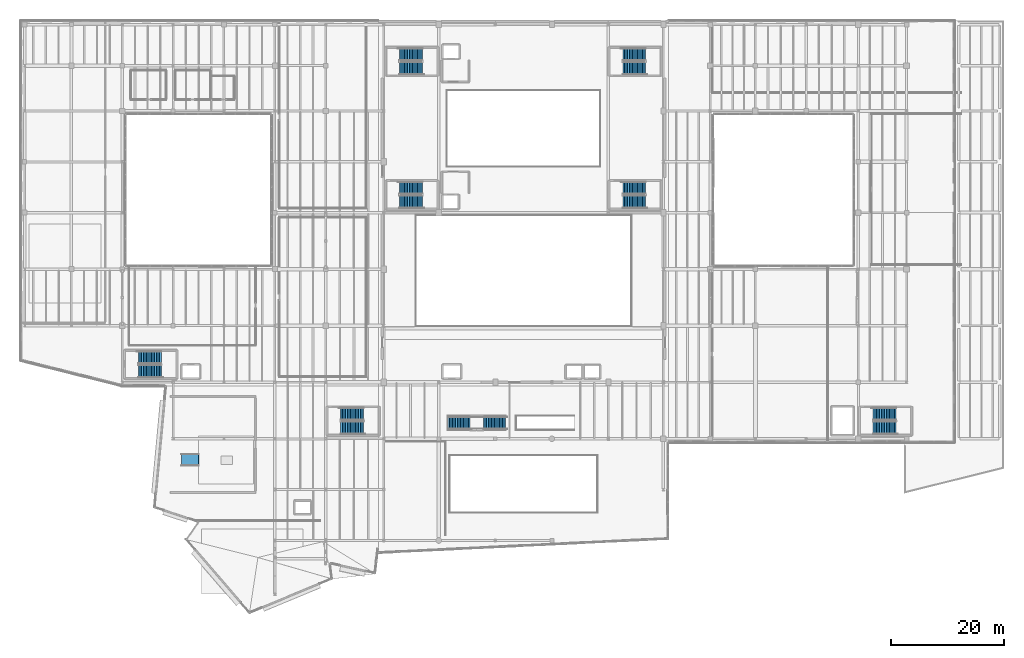
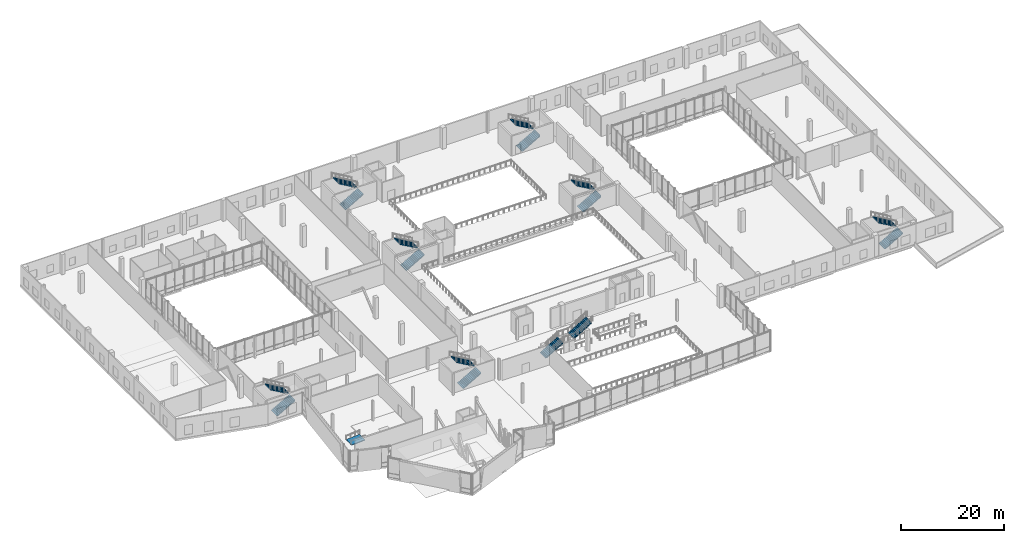
# One storey, part 61 of 73: 16 stair flights, 1 ramp flight, 9 elements without a shape of their own.
"""IFC4 building model written with IfcOpenShell, lengths in metres."""

from ifc_helpers import new_model, si_unit, direction, frame, origin, place, context, subcontext, project, spatial, polyline, outline, extrude, material, layer, layer_set, type_object, element, aggregate, save


model = new_model("IFC4")

# Units and contexts
model_context = context("Model", 3, precision=1e-05, world=origin(), true_north=direction((0.0, 1.0)))
body_context = subcontext(model_context, "Body", "Model", "MODEL_VIEW")
ifc_project = project(units=[si_unit("LENGTHUNIT", "METRE"), si_unit("AREAUNIT", "SQUARE_METRE"), si_unit("VOLUMEUNIT", "CUBIC_METRE"), si_unit("PLANEANGLEUNIT", "RADIAN"), si_unit("MASSUNIT", "GRAM", prefix="KILO")], contexts=[model_context])

# Site, building, storey
site_placement = place(None, origin())
site = spatial("IfcSite", under=ifc_project, at=site_placement, CompositionType="ELEMENT")
building_placement = place(site_placement, origin())
building = spatial("IfcBuilding", under=site, at=building_placement, Name="Trimount Lyric Opera House", CompositionType="ELEMENT")
storey_placement = place(building_placement, frame((0.0, 0.0, 10.0)))
storey = spatial("IfcBuildingStorey", under=building, at=storey_placement, Name="L02", CompositionType="ELEMENT", Elevation=10.0)

# Stair, stair flights
ifc_material_1 = material(Name="Concrete C40/50", Category="concrete")
stair_type_1 = type_object("IfcStairType", Name="STR-CORE-A", PredefinedType="TWO_QUARTER_TURN_STAIR", material=ifc_material_1)
stair_1_placement = place(storey_placement, origin())
stair_1 = element("IfcStair", 1, at=stair_1_placement, inside=storey, type_object=stair_type_1, Name="L02 Exit Stair ST-01", PredefinedType="TWO_QUARTER_TURN_STAIR")
ifc_material_2 = material(Name="Concrete C40/50", Category="concrete")
stair_flight_type_1 = type_object("IfcStairFlightType", Name="SFL-CORE-A", PredefinedType="STRAIGHT", material=ifc_material_2)
stair_flight_1_placement = place(storey_placement, frame((67.050048828125, 109.52490234375, 0.0), z_axis=(0.0, 0.0, 1.0), x_axis=(1.0, 0.0, 0.0)))
stair_flight_1 = element("IfcStairFlight", 2, at=stair_flight_1_placement, type_object=stair_flight_type_1, Name="ST-01 flight 1", NumberOfRisers=15, NumberOfTreads=14, PredefinedType="STRAIGHT", RiserHeight=0.166666667, TreadLength=0.29, context=body_context, shape_type="SweptSolid", body=[
    extrude(outline(polyline([(0.0, 0.0), (0.0, 0.166748046875), (0.2900390625, 0.166748046875), (0.2900390625, 0.333251953125), (0.580078125, 0.333251953125), (0.580078125, 0.5), (0.8701171875, 0.5), (0.8701171875, 0.666748046875), (1.159912109375, 0.666748046875), (1.159912109375, 0.833251953125), (1.449951171875, 0.833251953125), (1.449951171875, 1.0), (1.739990234375, 1.0), (1.739990234375, 1.166748046875), (2.030029296875, 1.166748046875), (2.030029296875, 1.333251953125), (2.320068359375, 1.333251953125), (2.320068359375, 1.5), (2.610107421875, 1.5), (2.610107421875, 1.666748046875), (2.89990234375, 1.666748046875), (2.89990234375, 1.833251953125), (3.18994140625, 1.833251953125), (3.18994140625, 2.0), (3.47998046875, 2.0), (3.47998046875, 2.166748046875), (3.77001953125, 2.166748046875), (3.77001953125, 2.333251953125), (4.0439453125, 2.333251953125), (4.06005859375, 2.5), (4.06005859375, 2.160400390625), (0.30078125, 0.0), (0.0, 0.0)])), frame((0.0, 1.125, 0.0), z_axis=(0.0, -1.0, 0.0), x_axis=(1.0, 0.0, 0.0)), (0.0, 0.0, 1.0), 2.25),
])
stair_flight_2_placement = place(storey_placement, frame((71.110107421875, 111.97509765625, 2.5), z_axis=(0.0, 0.0, 1.0), x_axis=(-1.0, 0.0, 0.0)))
stair_flight_2 = element("IfcStairFlight", 3, at=stair_flight_2_placement, type_object=stair_flight_type_1, Name="ST-01 flight 2", NumberOfRisers=15, NumberOfTreads=14, PredefinedType="STRAIGHT", RiserHeight=0.166666667, TreadLength=0.29, context=body_context, shape_type="SweptSolid", body=[
    extrude(outline(polyline([(0.0, 0.0), (0.0, 0.166748046875), (0.2900390625, 0.166748046875), (0.2900390625, 0.333251953125), (0.580078125, 0.333251953125), (0.580078125, 0.5), (0.8701171875, 0.5), (0.8701171875, 0.666748046875), (1.159912109375, 0.666748046875), (1.159912109375, 0.833251953125), (1.449951171875, 0.833251953125), (1.449951171875, 1.0), (1.739990234375, 1.0), (1.739990234375, 1.166748046875), (2.030029296875, 1.166748046875), (2.030029296875, 1.333251953125), (2.320068359375, 1.333251953125), (2.320068359375, 1.5), (2.610107421875, 1.5), (2.610107421875, 1.666748046875), (2.89990234375, 1.666748046875), (2.89990234375, 1.833251953125), (3.18994140625, 1.833251953125), (3.18994140625, 2.0), (3.47998046875, 2.0), (3.47998046875, 2.166748046875), (3.77001953125, 2.166748046875), (3.77001953125, 2.333251953125), (4.0439453125, 2.333251953125), (4.06005859375, 2.5), (4.06005859375, 2.160400390625), (0.30078125, 0.0), (0.0, 0.0)])), frame((0.0, 1.125, 0.0), z_axis=(0.0, -1.0, 0.0), x_axis=(1.0, 0.0, 0.0)), (0.0, 0.0, 1.0), 2.25),
])
aggregate(stair_1, [stair_flight_1, stair_flight_2])

stair_2_placement = place(storey_placement, origin())
stair_2 = element("IfcStair", 4, at=stair_2_placement, inside=storey, type_object=stair_type_1, Name="L02 Exit Stair ST-02", PredefinedType="TWO_QUARTER_TURN_STAIR")
stair_flight_3_placement = place(storey_placement, frame((106.550048828125, 109.52490234375, 0.0), z_axis=(0.0, 0.0, 1.0), x_axis=(1.0, 0.0, 0.0)))
stair_flight_3 = element("IfcStairFlight", 5, at=stair_flight_3_placement, type_object=stair_flight_type_1, Name="ST-02 flight 1", NumberOfRisers=15, NumberOfTreads=14, PredefinedType="STRAIGHT", RiserHeight=0.166666667, TreadLength=0.29, context=body_context, shape_type="SweptSolid", body=[
    extrude(outline(polyline([(0.0, 0.0), (0.0, 0.166748046875), (0.2900390625, 0.166748046875), (0.2900390625, 0.333251953125), (0.580078125, 0.333251953125), (0.580078125, 0.5), (0.8701171875, 0.5), (0.8701171875, 0.666748046875), (1.159912109375, 0.666748046875), (1.159912109375, 0.833251953125), (1.449951171875, 0.833251953125), (1.449951171875, 1.0), (1.739990234375, 1.0), (1.739990234375, 1.166748046875), (2.030029296875, 1.166748046875), (2.030029296875, 1.333251953125), (2.320068359375, 1.333251953125), (2.320068359375, 1.5), (2.610107421875, 1.5), (2.610107421875, 1.666748046875), (2.89990234375, 1.666748046875), (2.89990234375, 1.833251953125), (3.18994140625, 1.833251953125), (3.18994140625, 2.0), (3.47998046875, 2.0), (3.47998046875, 2.166748046875), (3.77001953125, 2.166748046875), (3.77001953125, 2.333251953125), (4.0439453125, 2.333251953125), (4.06005859375, 2.5), (4.06005859375, 2.160400390625), (0.30078125, 0.0), (0.0, 0.0)])), frame((0.0, 1.125, 0.0), z_axis=(0.0, -1.0, 0.0), x_axis=(1.0, 0.0, 0.0)), (0.0, 0.0, 1.0), 2.25),
])
stair_flight_4_placement = place(storey_placement, frame((110.610107421875, 111.97509765625, 2.5), z_axis=(0.0, 0.0, 1.0), x_axis=(-1.0, 0.0, 0.0)))
stair_flight_4 = element("IfcStairFlight", 6, at=stair_flight_4_placement, type_object=stair_flight_type_1, Name="ST-02 flight 2", NumberOfRisers=15, NumberOfTreads=14, PredefinedType="STRAIGHT", RiserHeight=0.166666667, TreadLength=0.29, context=body_context, shape_type="SweptSolid", body=[
    extrude(outline(polyline([(0.0, 0.0), (0.0, 0.166748046875), (0.2900390625, 0.166748046875), (0.2900390625, 0.333251953125), (0.580078125, 0.333251953125), (0.580078125, 0.5), (0.8701171875, 0.5), (0.8701171875, 0.666748046875), (1.159912109375, 0.666748046875), (1.159912109375, 0.833251953125), (1.449951171875, 0.833251953125), (1.449951171875, 1.0), (1.739990234375, 1.0), (1.739990234375, 1.166748046875), (2.030029296875, 1.166748046875), (2.030029296875, 1.333251953125), (2.320068359375, 1.333251953125), (2.320068359375, 1.5), (2.610107421875, 1.5), (2.610107421875, 1.666748046875), (2.89990234375, 1.666748046875), (2.89990234375, 1.833251953125), (3.18994140625, 1.833251953125), (3.18994140625, 2.0), (3.47998046875, 2.0), (3.47998046875, 2.166748046875), (3.77001953125, 2.166748046875), (3.77001953125, 2.333251953125), (4.0439453125, 2.333251953125), (4.06005859375, 2.5), (4.06005859375, 2.160400390625), (0.30078125, 0.0), (0.0, 0.0)])), frame((0.0, 1.125, 0.0), z_axis=(0.0, -1.0, 0.0), x_axis=(1.0, 0.0, 0.0)), (0.0, 0.0, 1.0), 2.25),
])
aggregate(stair_2, [stair_flight_3, stair_flight_4])

stair_3_placement = place(storey_placement, origin())
stair_3 = element("IfcStair", 7, at=stair_3_placement, inside=storey, type_object=stair_type_1, Name="L02 Exit Stair ST-03", PredefinedType="TWO_QUARTER_TURN_STAIR")
stair_flight_5_placement = place(storey_placement, frame((67.050048828125, 85.925048828125, 0.0), z_axis=(0.0, 0.0, 1.0), x_axis=(1.0, 0.0, 0.0)))
stair_flight_5 = element("IfcStairFlight", 8, at=stair_flight_5_placement, type_object=stair_flight_type_1, Name="ST-03 flight 1", NumberOfRisers=15, NumberOfTreads=14, PredefinedType="STRAIGHT", RiserHeight=0.166666667, TreadLength=0.29, context=body_context, shape_type="SweptSolid", body=[
    extrude(outline(polyline([(0.0, 0.0), (0.0, 0.166748046875), (0.2900390625, 0.166748046875), (0.2900390625, 0.333251953125), (0.580078125, 0.333251953125), (0.580078125, 0.5), (0.8701171875, 0.5), (0.8701171875, 0.666748046875), (1.159912109375, 0.666748046875), (1.159912109375, 0.833251953125), (1.449951171875, 0.833251953125), (1.449951171875, 1.0), (1.739990234375, 1.0), (1.739990234375, 1.166748046875), (2.030029296875, 1.166748046875), (2.030029296875, 1.333251953125), (2.320068359375, 1.333251953125), (2.320068359375, 1.5), (2.610107421875, 1.5), (2.610107421875, 1.666748046875), (2.89990234375, 1.666748046875), (2.89990234375, 1.833251953125), (3.18994140625, 1.833251953125), (3.18994140625, 2.0), (3.47998046875, 2.0), (3.47998046875, 2.166748046875), (3.77001953125, 2.166748046875), (3.77001953125, 2.333251953125), (4.0439453125, 2.333251953125), (4.06005859375, 2.5), (4.06005859375, 2.160400390625), (0.30078125, 0.0), (0.0, 0.0)])), frame((0.0, 1.125, 0.0), z_axis=(0.0, -1.0, 0.0), x_axis=(1.0, 0.0, 0.0)), (0.0, 0.0, 1.0), 2.25),
])
stair_flight_6_placement = place(storey_placement, frame((71.110107421875, 88.375, 2.5), z_axis=(0.0, 0.0, 1.0), x_axis=(-1.0, 0.0, 0.0)))
stair_flight_6 = element("IfcStairFlight", 9, at=stair_flight_6_placement, type_object=stair_flight_type_1, Name="ST-03 flight 2", NumberOfRisers=15, NumberOfTreads=14, PredefinedType="STRAIGHT", RiserHeight=0.166666667, TreadLength=0.29, context=body_context, shape_type="SweptSolid", body=[
    extrude(outline(polyline([(0.0, 0.0), (0.0, 0.166748046875), (0.2900390625, 0.166748046875), (0.2900390625, 0.333251953125), (0.580078125, 0.333251953125), (0.580078125, 0.5), (0.8701171875, 0.5), (0.8701171875, 0.666748046875), (1.159912109375, 0.666748046875), (1.159912109375, 0.833251953125), (1.449951171875, 0.833251953125), (1.449951171875, 1.0), (1.739990234375, 1.0), (1.739990234375, 1.166748046875), (2.030029296875, 1.166748046875), (2.030029296875, 1.333251953125), (2.320068359375, 1.333251953125), (2.320068359375, 1.5), (2.610107421875, 1.5), (2.610107421875, 1.666748046875), (2.89990234375, 1.666748046875), (2.89990234375, 1.833251953125), (3.18994140625, 1.833251953125), (3.18994140625, 2.0), (3.47998046875, 2.0), (3.47998046875, 2.166748046875), (3.77001953125, 2.166748046875), (3.77001953125, 2.333251953125), (4.0439453125, 2.333251953125), (4.06005859375, 2.5), (4.06005859375, 2.160400390625), (0.30078125, 0.0), (0.0, 0.0)])), frame((0.0, 1.125, 0.0), z_axis=(0.0, -1.0, 0.0), x_axis=(1.0, 0.0, 0.0)), (0.0, 0.0, 1.0), 2.25),
])
aggregate(stair_3, [stair_flight_5, stair_flight_6])

stair_4_placement = place(storey_placement, origin())
stair_4 = element("IfcStair", 10, at=stair_4_placement, inside=storey, type_object=stair_type_1, Name="L02 Exit Stair ST-04", PredefinedType="TWO_QUARTER_TURN_STAIR")
stair_flight_7_placement = place(storey_placement, frame((106.550048828125, 85.925048828125, 0.0), z_axis=(0.0, 0.0, 1.0), x_axis=(1.0, 0.0, 0.0)))
stair_flight_7 = element("IfcStairFlight", 11, at=stair_flight_7_placement, type_object=stair_flight_type_1, Name="ST-04 flight 1", NumberOfRisers=15, NumberOfTreads=14, PredefinedType="STRAIGHT", RiserHeight=0.166666667, TreadLength=0.29, context=body_context, shape_type="SweptSolid", body=[
    extrude(outline(polyline([(0.0, 0.0), (0.0, 0.166748046875), (0.2900390625, 0.166748046875), (0.2900390625, 0.333251953125), (0.580078125, 0.333251953125), (0.580078125, 0.5), (0.8701171875, 0.5), (0.8701171875, 0.666748046875), (1.159912109375, 0.666748046875), (1.159912109375, 0.833251953125), (1.449951171875, 0.833251953125), (1.449951171875, 1.0), (1.739990234375, 1.0), (1.739990234375, 1.166748046875), (2.030029296875, 1.166748046875), (2.030029296875, 1.333251953125), (2.320068359375, 1.333251953125), (2.320068359375, 1.5), (2.610107421875, 1.5), (2.610107421875, 1.666748046875), (2.89990234375, 1.666748046875), (2.89990234375, 1.833251953125), (3.18994140625, 1.833251953125), (3.18994140625, 2.0), (3.47998046875, 2.0), (3.47998046875, 2.166748046875), (3.77001953125, 2.166748046875), (3.77001953125, 2.333251953125), (4.0439453125, 2.333251953125), (4.06005859375, 2.5), (4.06005859375, 2.160400390625), (0.30078125, 0.0), (0.0, 0.0)])), frame((0.0, 1.125, 0.0), z_axis=(0.0, -1.0, 0.0), x_axis=(1.0, 0.0, 0.0)), (0.0, 0.0, 1.0), 2.25),
])
stair_flight_8_placement = place(storey_placement, frame((110.610107421875, 88.375, 2.5), z_axis=(0.0, 0.0, 1.0), x_axis=(-1.0, 0.0, 0.0)))
stair_flight_8 = element("IfcStairFlight", 12, at=stair_flight_8_placement, type_object=stair_flight_type_1, Name="ST-04 flight 2", NumberOfRisers=15, NumberOfTreads=14, PredefinedType="STRAIGHT", RiserHeight=0.166666667, TreadLength=0.29, context=body_context, shape_type="SweptSolid", body=[
    extrude(outline(polyline([(0.0, 0.0), (0.0, 0.166748046875), (0.2900390625, 0.166748046875), (0.2900390625, 0.333251953125), (0.580078125, 0.333251953125), (0.580078125, 0.5), (0.8701171875, 0.5), (0.8701171875, 0.666748046875), (1.159912109375, 0.666748046875), (1.159912109375, 0.833251953125), (1.449951171875, 0.833251953125), (1.449951171875, 1.0), (1.739990234375, 1.0), (1.739990234375, 1.166748046875), (2.030029296875, 1.166748046875), (2.030029296875, 1.333251953125), (2.320068359375, 1.333251953125), (2.320068359375, 1.5), (2.610107421875, 1.5), (2.610107421875, 1.666748046875), (2.89990234375, 1.666748046875), (2.89990234375, 1.833251953125), (3.18994140625, 1.833251953125), (3.18994140625, 2.0), (3.47998046875, 2.0), (3.47998046875, 2.166748046875), (3.77001953125, 2.166748046875), (3.77001953125, 2.333251953125), (4.0439453125, 2.333251953125), (4.06005859375, 2.5), (4.06005859375, 2.160400390625), (0.30078125, 0.0), (0.0, 0.0)])), frame((0.0, 1.125, 0.0), z_axis=(0.0, -1.0, 0.0), x_axis=(1.0, 0.0, 0.0)), (0.0, 0.0, 1.0), 2.25),
])
aggregate(stair_4, [stair_flight_7, stair_flight_8])

stair_5_placement = place(storey_placement, origin())
stair_5 = element("IfcStair", 13, at=stair_5_placement, inside=storey, type_object=stair_type_1, Name="L02 Exit Stair ST-05", PredefinedType="TWO_QUARTER_TURN_STAIR")
stair_flight_9_placement = place(storey_placement, frame((150.85009765625, 45.925048828125, 0.0), z_axis=(0.0, 0.0, 1.0), x_axis=(1.0, 0.0, 0.0)))
stair_flight_9 = element("IfcStairFlight", 14, at=stair_flight_9_placement, type_object=stair_flight_type_1, Name="ST-05 flight 1", NumberOfRisers=15, NumberOfTreads=14, PredefinedType="STRAIGHT", RiserHeight=0.166666667, TreadLength=0.29, context=body_context, shape_type="SweptSolid", body=[
    extrude(outline(polyline([(0.0, 0.0), (0.0, 0.166748046875), (0.2900390625, 0.166748046875), (0.2900390625, 0.333251953125), (0.580078125, 0.333251953125), (0.580078125, 0.5), (0.8701171875, 0.5), (0.8701171875, 0.666748046875), (1.159912109375, 0.666748046875), (1.159912109375, 0.833251953125), (1.449951171875, 0.833251953125), (1.449951171875, 1.0), (1.739990234375, 1.0), (1.739990234375, 1.166748046875), (2.030029296875, 1.166748046875), (2.030029296875, 1.333251953125), (2.320068359375, 1.333251953125), (2.320068359375, 1.5), (2.610107421875, 1.5), (2.610107421875, 1.666748046875), (2.89990234375, 1.666748046875), (2.89990234375, 1.833251953125), (3.18994140625, 1.833251953125), (3.18994140625, 2.0), (3.47998046875, 2.0), (3.47998046875, 2.166748046875), (3.77001953125, 2.166748046875), (3.77001953125, 2.333251953125), (4.0439453125, 2.333251953125), (4.06005859375, 2.5), (4.06005859375, 2.160400390625), (0.30078125, 0.0), (0.0, 0.0)])), frame((0.0, 1.125, 0.0), z_axis=(0.0, -1.0, 0.0), x_axis=(1.0, 0.0, 0.0)), (0.0, 0.0, 1.0), 2.25),
])
stair_flight_10_placement = place(storey_placement, frame((154.909912109375, 48.375, 2.5), z_axis=(0.0, 0.0, 1.0), x_axis=(-1.0, 0.0, 0.0)))
stair_flight_10 = element("IfcStairFlight", 15, at=stair_flight_10_placement, type_object=stair_flight_type_1, Name="ST-05 flight 2", NumberOfRisers=15, NumberOfTreads=14, PredefinedType="STRAIGHT", RiserHeight=0.166666667, TreadLength=0.29, context=body_context, shape_type="SweptSolid", body=[
    extrude(outline(polyline([(0.0, 0.0), (0.0, 0.166748046875), (0.2900390625, 0.166748046875), (0.2900390625, 0.333251953125), (0.580078125, 0.333251953125), (0.580078125, 0.5), (0.8701171875, 0.5), (0.8701171875, 0.666748046875), (1.159912109375, 0.666748046875), (1.159912109375, 0.833251953125), (1.449951171875, 0.833251953125), (1.449951171875, 1.0), (1.739990234375, 1.0), (1.739990234375, 1.166748046875), (2.030029296875, 1.166748046875), (2.030029296875, 1.333251953125), (2.320068359375, 1.333251953125), (2.320068359375, 1.5), (2.610107421875, 1.5), (2.610107421875, 1.666748046875), (2.89990234375, 1.666748046875), (2.89990234375, 1.833251953125), (3.18994140625, 1.833251953125), (3.18994140625, 2.0), (3.47998046875, 2.0), (3.47998046875, 2.166748046875), (3.77001953125, 2.166748046875), (3.77001953125, 2.333251953125), (4.0439453125, 2.333251953125), (4.06005859375, 2.5), (4.06005859375, 2.160400390625), (0.30078125, 0.0), (0.0, 0.0)])), frame((0.0, 1.125, 0.0), z_axis=(0.0, -1.0, 0.0), x_axis=(1.0, 0.0, 0.0)), (0.0, 0.0, 1.0), 2.25),
])
aggregate(stair_5, [stair_flight_9, stair_flight_10])

stair_6_placement = place(storey_placement, origin())
stair_6 = element("IfcStair", 16, at=stair_6_placement, inside=storey, type_object=stair_type_1, Name="L02 Exit Stair ST-06", PredefinedType="TWO_QUARTER_TURN_STAIR")
stair_flight_11_placement = place(storey_placement, frame((20.85009765625, 55.925048828125, 0.0), z_axis=(0.0, 0.0, 1.0), x_axis=(1.0, 0.0, 0.0)))
stair_flight_11 = element("IfcStairFlight", 17, at=stair_flight_11_placement, type_object=stair_flight_type_1, Name="ST-06 flight 1", NumberOfRisers=15, NumberOfTreads=14, PredefinedType="STRAIGHT", RiserHeight=0.166666667, TreadLength=0.29, context=body_context, shape_type="SweptSolid", body=[
    extrude(outline(polyline([(0.0, 0.0), (0.0, 0.166748046875), (0.2900390625, 0.166748046875), (0.2900390625, 0.333251953125), (0.580078125, 0.333251953125), (0.580078125, 0.5), (0.8701171875, 0.5), (0.8701171875, 0.666748046875), (1.159912109375, 0.666748046875), (1.159912109375, 0.833251953125), (1.449951171875, 0.833251953125), (1.449951171875, 1.0), (1.739990234375, 1.0), (1.739990234375, 1.166748046875), (2.030029296875, 1.166748046875), (2.030029296875, 1.333251953125), (2.320068359375, 1.333251953125), (2.320068359375, 1.5), (2.610107421875, 1.5), (2.610107421875, 1.666748046875), (2.89990234375, 1.666748046875), (2.89990234375, 1.833251953125), (3.18994140625, 1.833251953125), (3.18994140625, 2.0), (3.47998046875, 2.0), (3.47998046875, 2.166748046875), (3.77001953125, 2.166748046875), (3.77001953125, 2.333251953125), (4.0439453125, 2.333251953125), (4.06005859375, 2.5), (4.06005859375, 2.160400390625), (0.30078125, 0.0), (0.0, 0.0)])), frame((0.0, 1.125, 0.0), z_axis=(0.0, -1.0, 0.0), x_axis=(1.0, 0.0, 0.0)), (0.0, 0.0, 1.0), 2.25),
])
stair_flight_12_placement = place(storey_placement, frame((24.909912109375, 58.375, 2.5), z_axis=(0.0, 0.0, 1.0), x_axis=(-1.0, 0.0, 0.0)))
stair_flight_12 = element("IfcStairFlight", 18, at=stair_flight_12_placement, type_object=stair_flight_type_1, Name="ST-06 flight 2", NumberOfRisers=15, NumberOfTreads=14, PredefinedType="STRAIGHT", RiserHeight=0.166666667, TreadLength=0.29, context=body_context, shape_type="SweptSolid", body=[
    extrude(outline(polyline([(0.0, 0.0), (0.0, 0.166748046875), (0.2900390625, 0.166748046875), (0.2900390625, 0.333251953125), (0.580078125, 0.333251953125), (0.580078125, 0.5), (0.8701171875, 0.5), (0.8701171875, 0.666748046875), (1.159912109375, 0.666748046875), (1.159912109375, 0.833251953125), (1.449951171875, 0.833251953125), (1.449951171875, 1.0), (1.739990234375, 1.0), (1.739990234375, 1.166748046875), (2.030029296875, 1.166748046875), (2.030029296875, 1.333251953125), (2.320068359375, 1.333251953125), (2.320068359375, 1.5), (2.610107421875, 1.5), (2.610107421875, 1.666748046875), (2.89990234375, 1.666748046875), (2.89990234375, 1.833251953125), (3.18994140625, 1.833251953125), (3.18994140625, 2.0), (3.47998046875, 2.0), (3.47998046875, 2.166748046875), (3.77001953125, 2.166748046875), (3.77001953125, 2.333251953125), (4.0439453125, 2.333251953125), (4.06005859375, 2.5), (4.06005859375, 2.160400390625), (0.30078125, 0.0), (0.0, 0.0)])), frame((0.0, 1.125, 0.0), z_axis=(0.0, -1.0, 0.0), x_axis=(1.0, 0.0, 0.0)), (0.0, 0.0, 1.0), 2.25),
])
aggregate(stair_6, [stair_flight_11, stair_flight_12])

stair_7_placement = place(storey_placement, origin())
stair_7 = element("IfcStair", 19, at=stair_7_placement, inside=storey, type_object=stair_type_1, Name="L02 Exit Stair ST-07", PredefinedType="TWO_QUARTER_TURN_STAIR")
stair_flight_13_placement = place(storey_placement, frame((56.64990234375, 45.925048828125, 0.0), z_axis=(0.0, 0.0, 1.0), x_axis=(1.0, 0.0, 0.0)))
stair_flight_13 = element("IfcStairFlight", 20, at=stair_flight_13_placement, type_object=stair_flight_type_1, Name="ST-07 flight 1", NumberOfRisers=15, NumberOfTreads=14, PredefinedType="STRAIGHT", RiserHeight=0.166666667, TreadLength=0.29, context=body_context, shape_type="SweptSolid", body=[
    extrude(outline(polyline([(0.0, 0.0), (0.0, 0.166748046875), (0.2900390625, 0.166748046875), (0.2900390625, 0.333251953125), (0.580078125, 0.333251953125), (0.580078125, 0.5), (0.8701171875, 0.5), (0.8701171875, 0.666748046875), (1.159912109375, 0.666748046875), (1.159912109375, 0.833251953125), (1.449951171875, 0.833251953125), (1.449951171875, 1.0), (1.739990234375, 1.0), (1.739990234375, 1.166748046875), (2.030029296875, 1.166748046875), (2.030029296875, 1.333251953125), (2.320068359375, 1.333251953125), (2.320068359375, 1.5), (2.610107421875, 1.5), (2.610107421875, 1.666748046875), (2.89990234375, 1.666748046875), (2.89990234375, 1.833251953125), (3.18994140625, 1.833251953125), (3.18994140625, 2.0), (3.47998046875, 2.0), (3.47998046875, 2.166748046875), (3.77001953125, 2.166748046875), (3.77001953125, 2.333251953125), (4.0439453125, 2.333251953125), (4.06005859375, 2.5), (4.06005859375, 2.160400390625), (0.30078125, 0.0), (0.0, 0.0)])), frame((0.0, 1.125, 0.0), z_axis=(0.0, -1.0, 0.0), x_axis=(1.0, 0.0, 0.0)), (0.0, 0.0, 1.0), 2.25),
])
stair_flight_14_placement = place(storey_placement, frame((60.7099609375, 48.375, 2.5), z_axis=(0.0, 0.0, 1.0), x_axis=(-1.0, 0.0, 0.0)))
stair_flight_14 = element("IfcStairFlight", 21, at=stair_flight_14_placement, type_object=stair_flight_type_1, Name="ST-07 flight 2", NumberOfRisers=15, NumberOfTreads=14, PredefinedType="STRAIGHT", RiserHeight=0.166666667, TreadLength=0.29, context=body_context, shape_type="SweptSolid", body=[
    extrude(outline(polyline([(0.0, 0.0), (0.0, 0.166748046875), (0.2900390625, 0.166748046875), (0.2900390625, 0.333251953125), (0.580078125, 0.333251953125), (0.580078125, 0.5), (0.8701171875, 0.5), (0.8701171875, 0.666748046875), (1.159912109375, 0.666748046875), (1.159912109375, 0.833251953125), (1.449951171875, 0.833251953125), (1.449951171875, 1.0), (1.739990234375, 1.0), (1.739990234375, 1.166748046875), (2.030029296875, 1.166748046875), (2.030029296875, 1.333251953125), (2.320068359375, 1.333251953125), (2.320068359375, 1.5), (2.610107421875, 1.5), (2.610107421875, 1.666748046875), (2.89990234375, 1.666748046875), (2.89990234375, 1.833251953125), (3.18994140625, 1.833251953125), (3.18994140625, 2.0), (3.47998046875, 2.0), (3.47998046875, 2.166748046875), (3.77001953125, 2.166748046875), (3.77001953125, 2.333251953125), (4.0439453125, 2.333251953125), (4.06005859375, 2.5), (4.06005859375, 2.160400390625), (0.30078125, 0.0), (0.0, 0.0)])), frame((0.0, 1.125, 0.0), z_axis=(0.0, -1.0, 0.0), x_axis=(1.0, 0.0, 0.0)), (0.0, 0.0, 1.0), 2.25),
])
aggregate(stair_7, [stair_flight_13, stair_flight_14])

ifc_material_3 = material(Name="Steel ASTM A36", Category="steel")
stair_type_2 = type_object("IfcStairType", Name="STR-FOY-2", PredefinedType="STRAIGHT_RUN_STAIR", material=ifc_material_3)
stair_8_placement = place(storey_placement, origin())
stair_8 = element("IfcStair", 22, at=stair_8_placement, inside=storey, type_object=stair_type_2, Name="Concourse Roof-Garden Gallery Stair", PredefinedType="STRAIGHT_RUN_STAIR")
ifc_material_4 = material(Name="Steel ASTM A36", Category="steel")
stair_flight_type_2 = type_object("IfcStairFlightType", Name="SFL-FOY-2", PredefinedType="STRAIGHT", material=ifc_material_4)
stair_flight_15_placement = place(storey_placement, frame((75.60009765625, 46.800048828125, 0.0), z_axis=(0.0, 0.0, 1.0), x_axis=(1.0, 0.0, 0.0)))
stair_flight_15 = element("IfcStairFlight", 23, at=stair_flight_15_placement, type_object=stair_flight_type_2, Name="FS-04 flight 1", NumberOfRisers=15, NumberOfTreads=14, PredefinedType="STRAIGHT", RiserHeight=0.166666667, TreadLength=0.28, context=body_context, shape_type="SweptSolid", body=[
    extrude(outline(polyline([(0.0, 0.0), (0.0, 0.166748046875), (0.280029296875, 0.166748046875), (0.280029296875, 0.333251953125), (0.56005859375, 0.333251953125), (0.56005859375, 0.5), (0.840087890625, 0.5), (0.840087890625, 0.666748046875), (1.1201171875, 0.666748046875), (1.1201171875, 0.833251953125), (1.39990234375, 0.833251953125), (1.39990234375, 1.0), (1.679931640625, 1.0), (1.679931640625, 1.166748046875), (1.9599609375, 1.166748046875), (1.9599609375, 1.333251953125), (2.239990234375, 1.333251953125), (2.239990234375, 1.5), (2.52001953125, 1.5), (2.52001953125, 1.666748046875), (2.800048828125, 1.666748046875), (2.800048828125, 1.833251953125), (3.080078125, 1.833251953125), (3.080078125, 2.0), (3.360107421875, 2.0), (3.360107421875, 2.166748046875), (3.639892578125, 2.166748046875), (3.639892578125, 2.333251953125), (3.90380859375, 2.333251953125), (3.919921875, 2.5), (3.919921875, 2.135498046875), (0.332275390625, 0.0), (0.0, 0.0)])), frame((0.0, 1.10009765625, 0.0), z_axis=(0.0, -1.0, 0.0), x_axis=(1.0, 0.0, 0.0)), (0.0, 0.0, 1.0), 2.199951171875),
])
stair_flight_16_placement = place(storey_placement, frame((81.919921875, 46.800048828125, 2.5), z_axis=(0.0, 0.0, 1.0), x_axis=(1.0, 0.0, 0.0)))
stair_flight_16 = element("IfcStairFlight", 24, at=stair_flight_16_placement, type_object=stair_flight_type_2, Name="FS-04 flight 2", NumberOfRisers=15, NumberOfTreads=14, PredefinedType="STRAIGHT", RiserHeight=0.166666667, TreadLength=0.28, context=body_context, shape_type="SweptSolid", body=[
    extrude(outline(polyline([(0.0, 0.0), (0.0, 0.166748046875), (0.280029296875, 0.166748046875), (0.280029296875, 0.333251953125), (0.56005859375, 0.333251953125), (0.56005859375, 0.5), (0.840087890625, 0.5), (0.840087890625, 0.666748046875), (1.1201171875, 0.666748046875), (1.1201171875, 0.833251953125), (1.39990234375, 0.833251953125), (1.39990234375, 1.0), (1.679931640625, 1.0), (1.679931640625, 1.166748046875), (1.9599609375, 1.166748046875), (1.9599609375, 1.333251953125), (2.239990234375, 1.333251953125), (2.239990234375, 1.5), (2.52001953125, 1.5), (2.52001953125, 1.666748046875), (2.800048828125, 1.666748046875), (2.800048828125, 1.833251953125), (3.080078125, 1.833251953125), (3.080078125, 2.0), (3.360107421875, 2.0), (3.360107421875, 2.166748046875), (3.639892578125, 2.166748046875), (3.639892578125, 2.333251953125), (3.90380859375, 2.333251953125), (3.919921875, 2.5), (3.919921875, 2.135498046875), (0.332275390625, 0.0), (0.0, 0.0)])), frame((0.0, 1.10009765625, 0.0), z_axis=(0.0, -1.0, 0.0), x_axis=(1.0, 0.0, 0.0)), (0.0, 0.0, 1.0), 2.199951171875),
])
aggregate(stair_8, [stair_flight_15, stair_flight_16])

# Ramp, ramp flight
ifc_material_5 = material(Name="Concrete C35/45", Category="concrete")
ramp_type = type_object("IfcRampType", Name="RMP-ACC2", PredefinedType="STRAIGHT_RUN_RAMP", material=ifc_material_5)
ramp_placement = place(storey_placement, origin())
ramp = element("IfcRamp", 25, at=ramp_placement, inside=storey, type_object=ramp_type, Name="Studio Theatre Stage Accessible Ramp", PredefinedType="STRAIGHT_RUN_RAMP")
ifc_material_6 = material(Name="Concrete C35/45", Category="concrete")
ifc_layer = layer(ifc_material_6, 0.219970703125)
ifc_layer_set = layer_set([ifc_layer], Name="RFL-ACC2")
ramp_flight_type = type_object("IfcRampFlightType", Name="RFL-ACC2", PredefinedType="STRAIGHT", material=ifc_layer_set)
ramp_flight_placement = place(storey_placement, frame((28.5, 39.199951171875, 0.0), z_axis=(-0.075932128953, 0.0, 0.997112988479), x_axis=(0.997112988479, 0.0, 0.075932128953)))
ramp_flight = element("IfcRampFlight", 26, at=ramp_flight_placement, type_object=ramp_flight_type, Name="Studio Theatre Stage Accessible Ramp flight", PredefinedType="STRAIGHT", context=body_context, shape_type="SweptSolid", body=[
    extrude(outline(polyline([(0.0, 0.0), (3.0287636066781345, 0.0), (3.0287636066781345, 2.10009765625), (0.0, 2.10009765625), (0.0, 0.0)])), origin(), (0.0, 0.0, -1.0), 0.219970703125),
])
aggregate(ramp, [ramp_flight])

save(model, "model.ifc")
